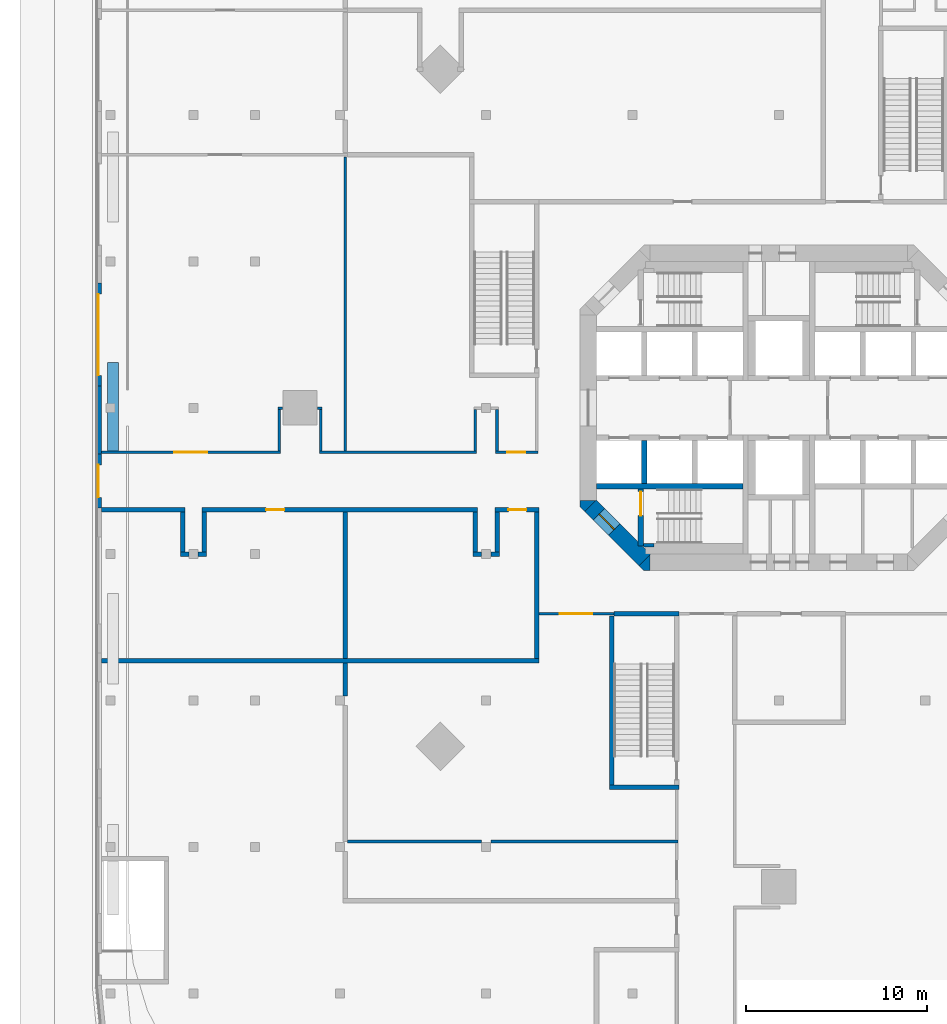
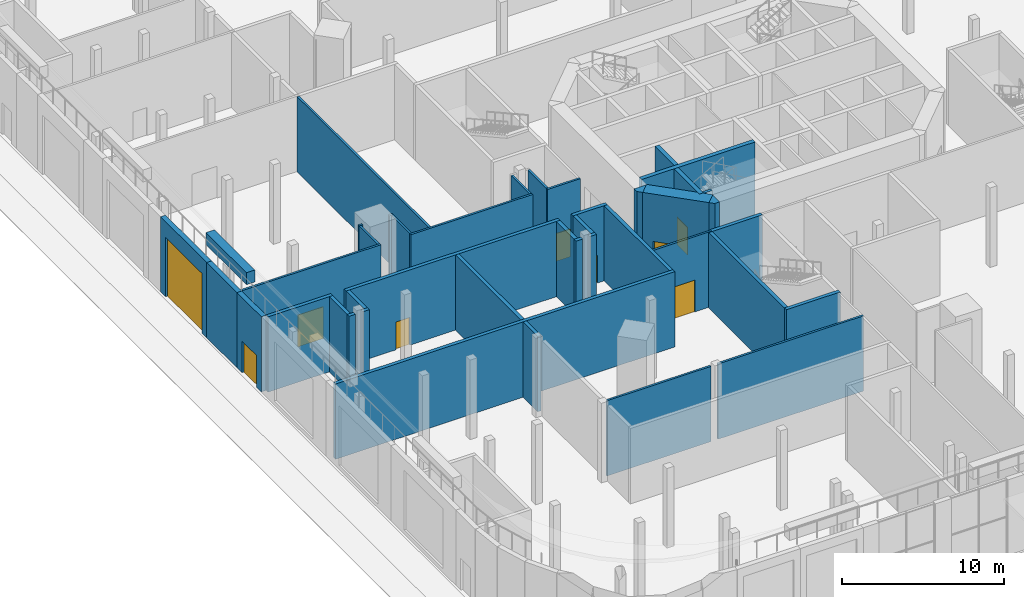
# One storey, part 14 of 32: 42 walls, 9 doors, 9 openings.
"""IFC4 building model written with IfcOpenShell, lengths in metres."""

from ifc_helpers import new_model, si_unit, direction, frame, frame_2d, origin, place, context, subcontext, project, spatial, polyline, rectangle, outline, extrude, material, layer, layer_set, type_object, element, fill, save


model = new_model("IFC4")

# Units and contexts
model_context = context("Model", 3, precision=1e-05, world=origin(), true_north=direction((0.0, 1.0)))
body_context = subcontext(model_context, "Body", "Model", "MODEL_VIEW")
ifc_project = project(units=[si_unit("LENGTHUNIT", "METRE"), si_unit("AREAUNIT", "SQUARE_METRE"), si_unit("VOLUMEUNIT", "CUBIC_METRE"), si_unit("PLANEANGLEUNIT", "RADIAN"), si_unit("MASSUNIT", "GRAM", prefix="KILO")], contexts=[model_context])

# Site, building, storey
site_placement = place(None, origin())
site = spatial("IfcSite", under=ifc_project, at=site_placement, CompositionType="ELEMENT")
building_placement = place(site_placement, origin())
building = spatial("IfcBuilding", under=site, at=building_placement, Name="Torre Triforio", CompositionType="ELEMENT")
storey_placement = place(building_placement, origin())
storey = spatial("IfcBuildingStorey", under=building, at=storey_placement, Name="L00", CompositionType="ELEMENT", Elevation=0.0)

# Wall, opening, door
ifc_material_1 = material(Name="Concrete C60", Category="concrete")
ifc_layer_1 = layer(ifc_material_1, 0.89990234375)
ifc_layer_set_1 = layer_set([ifc_layer_1], Name="Concrete C60")
wall_type_1 = type_object("IfcWallType", Name="Core wall 900 mm C60 EI 120", PredefinedType="SHEAR", material=ifc_layer_set_1)
wall_1_placement = place(storey_placement, frame((-7.418212890625, -8.418212890625, -0.320068359375), z_axis=(0.0, 0.0, 1.0), x_axis=(-0.707106781187, 0.707106781187, 0.0)))
wall_1 = element("IfcWall", 1, at=wall_1_placement, inside=storey, type_object=wall_type_1, Name="Core wall", PredefinedType="SHEAR", context=body_context, shape_type="SweptSolid", body=[
    extrude(rectangle(XDim=4.24267578125, YDim=0.89990234375, at=frame_2d((2.121337890625, 0.0))), origin(), (0.0, 0.0, 1.0), 6.0),
])
opening_1_placement = place(wall_1_placement, frame((2.392578125, 0.0, 0.320068359375)))
opening_1 = element("IfcOpeningElement", 2, at=opening_1_placement, cuts=wall_1, Name="Opening ST3-EXIT", PredefinedType="OPENING", context=body_context, shape_type="SweptSolid", body=[
    extrude(rectangle(XDim=1.199951171875, YDim=2.10009765625, at=frame_2d((0.60009765625, 1.050048828125))), frame((0.0, 0.4599609375, 0.0), z_axis=(0.0, -1.0, 0.0), x_axis=(1.0, 0.0, 0.0)), (0.0, 0.0, 1.0), 0.919921875),
])
ifc_material_2 = material(Name="Hollow metal fire door leaf")
door_type_1 = type_object("IfcDoorType", Name="Stair lobby door 1200 x 2100 EI 60", OperationType="NOTDEFINED", PredefinedType="DOOR", material=ifc_material_2)
door_1_placement = place(opening_1_placement, origin())
door_1 = element("IfcDoor", 3, at=door_1_placement, inside=storey, type_object=door_type_1, Name="Core door ST3-EXIT", OperationType="SINGLE_SWING_RIGHT", OverallHeight=2.10009765625, OverallWidth=1.199951171875, PredefinedType="DOOR", context=body_context, shape_type="SweptSolid", body=[
    extrude(rectangle(XDim=1.199951171875, YDim=2.10009765625, at=frame_2d((0.60009765625, 1.050048828125))), frame((0.0, 0.02490234375, 0.0), z_axis=(0.0, -1.0, 0.0), x_axis=(1.0, 0.0, 0.0)), (0.0, 0.0, 1.0), 0.050048828125),
])
fill(opening_1, door_1)

# Walls
wall_2_placement = place(storey_placement, frame((0.0, 0.0, -0.320068359375)))
element("IfcWall", 4, at=wall_2_placement, inside=storey, type_object=wall_type_1, Name="Core wall", PredefinedType="SHEAR", context=body_context, shape_type="SweptSolid", body=[
    extrude(outline(polyline([(-7.472900390625, -9.0), (-7.736328125, -8.736328125), (-7.1298828125, -8.1298828125), (-7.1298828125, -9.0), (-7.472900390625, -9.0)])), origin(), (0.0, 0.0, 1.0), 6.0),
])
wall_3_placement = place(storey_placement, frame((0.0, 0.0, -0.320068359375)))
element("IfcWall", 5, at=wall_3_placement, inside=storey, type_object=wall_type_1, Name="Core wall", PredefinedType="SHEAR", context=body_context, shape_type="SweptSolid", body=[
    extrude(outline(polyline([(-11.0, -5.472900390625), (-11.0, -5.1298828125), (-10.1298828125, -5.1298828125), (-10.736328125, -5.736328125), (-11.0, -5.472900390625)])), origin(), (0.0, 0.0, 1.0), 6.0),
])
ifc_material_3 = material(Name="Plasterboard on metal studs")
ifc_layer_2 = layer(ifc_material_3, 0.14990234375)
ifc_layer_set_2 = layer_set([ifc_layer_2], Name="Plasterboard on metal studs")
wall_type_2 = type_object("IfcWallType", Name="Corridor wall 150 EI 60", PredefinedType="PARTITIONING", material=ifc_layer_set_2)
wall_4_placement = place(storey_placement, frame((-24.0, -2.375, 0.0), z_axis=(0.0, 0.0, 1.0), x_axis=(0.0, 1.0, 0.0)))
element("IfcWall", 6, at=wall_4_placement, inside=storey, type_object=wall_type_2, Name="Corridor wall L00 073", PredefinedType="PARTITIONING", context=body_context, shape_type="SweptSolid", body=[
    extrude(rectangle(XDim=16.25, YDim=0.14990234375, at=frame_2d((8.125, 0.0))), origin(), (0.0, 0.0, 1.0), 5.679931640625),
])

# Wall, opening, door
wall_5_placement = place(storey_placement, frame((-37.5, -2.449951171875, 0.0), z_axis=(0.0, 0.0, 1.0), x_axis=(1.0, 0.0, 0.0)))
wall_5 = element("IfcWall", 7, at=wall_5_placement, inside=storey, type_object=wall_type_2, Name="Corridor wall L00 074", PredefinedType="PARTITIONING", context=body_context, shape_type="SweptSolid", body=[
    extrude(rectangle(XDim=9.925048828125, YDim=0.14990234375, at=frame_2d((4.96240234375, 0.0))), origin(), (0.0, 0.0, 1.0), 5.679931640625),
])
opening_2_placement = place(wall_5_placement, frame((4.050048828125, 0.0, 0.0)))
opening_2 = element("IfcOpeningElement", 8, at=opening_2_placement, cuts=wall_5, Name="Opening P0-20", PredefinedType="OPENING", context=body_context, shape_type="SweptSolid", body=[
    extrude(rectangle(XDim=1.800048828125, YDim=2.39990234375, at=frame_2d((0.89990234375, 1.199951171875))), frame((0.0, 0.0849609375, 0.0), z_axis=(0.0, -1.0, 0.0), x_axis=(1.0, 0.0, 0.0)), (0.0, 0.0, 1.0), 0.169921875),
])
ifc_material_4 = material(Name="Timber door leaf", Category="wood")
door_type_2 = type_object("IfcDoorType", Name="Double door 1800 x 2400 EI 60", OperationType="NOTDEFINED", PredefinedType="DOOR", material=ifc_material_4)
door_2_placement = place(opening_2_placement, origin())
door_2 = element("IfcDoor", 9, at=door_2_placement, inside=storey, type_object=door_type_2, Name="Door P0-20", OperationType="SINGLE_SWING_LEFT", OverallHeight=2.39990234375, OverallWidth=1.800048828125, PredefinedType="DOOR", context=body_context, shape_type="SweptSolid", body=[
    extrude(rectangle(XDim=1.800048828125, YDim=2.39990234375, at=frame_2d((0.89990234375, 1.199951171875))), frame((0.0, 0.02490234375, 0.0), z_axis=(0.0, -1.0, 0.0), x_axis=(1.0, 0.0, 0.0)), (0.0, 0.0, 1.0), 0.050048828125),
])
fill(opening_2, door_2)

# Walls
wall_6_placement = place(storey_placement, frame((-25.425048828125, -2.449951171875, 0.0), z_axis=(0.0, 0.0, 1.0), x_axis=(1.0, 0.0, 0.0)))
element("IfcWall", 10, at=wall_6_placement, inside=storey, type_object=wall_type_2, Name="Corridor wall L00 075", PredefinedType="PARTITIONING", context=body_context, shape_type="SweptSolid", body=[
    extrude(rectangle(XDim=8.699951171875, YDim=0.14990234375, at=frame_2d((4.35009765625, 0.0))), origin(), (0.0, 0.0, 1.0), 5.679931640625),
])
for number, where, z_axis, x_axis, name in (
    (11, (-27.72509765625, -0.02001953125, 0.0), (0.0, 0.0, 1.0), (1.0, 0.0, 0.0), "Corridor wall L00 076"),
    (12, (-25.5400390625, -0.02001953125, 0.0), (0.0, 0.0, 1.0), (1.0, 0.0, 0.0), "Corridor wall L00 077"),
):
    element("IfcWall", number, at=place(storey_placement, frame(where, z_axis=z_axis, x_axis=x_axis)), inside=storey, type_object=wall_type_2, Name=name, PredefinedType="PARTITIONING", context=body_context, shape_type="SweptSolid", body=[
        extrude(rectangle(XDim=0.26513671875, YDim=0.14990234375, at=frame_2d((0.132568359375, 0.0))), origin(), (0.0, 0.0, 1.0), 5.679931640625),
    ])
for number, where, z_axis, x_axis, name in (
    (13, (-27.64990234375, -2.375, 0.0), (0.0, 0.0, 1.0), (0.0, 1.0, 0.0), "Corridor wall L00 078"),
    (14, (-25.35009765625, -2.375, 0.0), (0.0, 0.0, 1.0), (0.0, 1.0, 0.0), "Corridor wall L00 079"),
):
    element("IfcWall", number, at=place(storey_placement, frame(where, z_axis=z_axis, x_axis=x_axis)), inside=storey, type_object=wall_type_2, Name=name, PredefinedType="PARTITIONING", context=body_context, shape_type="SweptSolid", body=[
        extrude(rectangle(XDim=2.280029296875, YDim=0.14990234375, at=frame_2d((1.14013671875, 0.0))), origin(), (0.0, 0.0, 1.0), 5.679931640625),
    ])

# Wall, opening, door
wall_7_placement = place(storey_placement, frame((-13.27490234375, -11.39990234375, 0.0), z_axis=(0.0, 0.0, 1.0), x_axis=(1.0, 0.0, 0.0)))
wall_7 = element("IfcWall", 15, at=wall_7_placement, inside=storey, type_object=wall_type_2, Name="Corridor wall L00 152", PredefinedType="PARTITIONING", context=body_context, shape_type="SweptSolid", body=[
    extrude(rectangle(XDim=4.14990234375, YDim=0.14990234375, at=frame_2d((2.074951171875, 0.0))), origin(), (0.0, 0.0, 1.0), 5.679931640625),
])
opening_3_placement = place(wall_7_placement, frame((1.14990234375, 0.0, 0.0)))
opening_3 = element("IfcOpeningElement", 16, at=opening_3_placement, cuts=wall_7, Name="Opening P0-32", PredefinedType="OPENING", context=body_context, shape_type="SweptSolid", body=[
    extrude(rectangle(XDim=1.800048828125, YDim=2.39990234375, at=frame_2d((0.89990234375, 1.199951171875))), frame((0.0, 0.0849609375, 0.0), z_axis=(0.0, -1.0, 0.0), x_axis=(1.0, 0.0, 0.0)), (0.0, 0.0, 1.0), 0.169921875),
])
door_3_placement = place(opening_3_placement, origin())
door_3 = element("IfcDoor", 17, at=door_3_placement, inside=storey, type_object=door_type_2, Name="Door P0-32", OperationType="SINGLE_SWING_LEFT", OverallHeight=2.39990234375, OverallWidth=1.800048828125, PredefinedType="DOOR", context=body_context, shape_type="SweptSolid", body=[
    extrude(rectangle(XDim=1.800048828125, YDim=2.39990234375, at=frame_2d((0.89990234375, 1.199951171875))), frame((0.0, 0.02490234375, 0.0), z_axis=(0.0, -1.0, 0.0), x_axis=(1.0, 0.0, 0.0)), (0.0, 0.0, 1.0), 0.050048828125),
])
fill(opening_3, door_3)

wall_8_placement = place(storey_placement, frame((-15.675048828125, -2.449951171875, 0.0), z_axis=(0.0, 0.0, 1.0), x_axis=(1.0, 0.0, 0.0)))
wall_8 = element("IfcWall", 18, at=wall_8_placement, inside=storey, type_object=wall_type_2, Name="Corridor wall L00 182", PredefinedType="PARTITIONING", context=body_context, shape_type="SweptSolid", body=[
    extrude(rectangle(XDim=2.35009765625, YDim=0.14990234375, at=frame_2d((1.175048828125, 0.0))), origin(), (0.0, 0.0, 1.0), 5.679931640625),
])
opening_4_placement = place(wall_8_placement, frame((0.64990234375, 0.0, 0.0)))
opening_4 = element("IfcOpeningElement", 19, at=opening_4_placement, cuts=wall_8, Name="Opening P0-24", PredefinedType="OPENING", context=body_context, shape_type="SweptSolid", body=[
    extrude(rectangle(XDim=1.0, YDim=2.10009765625, at=frame_2d((0.5, 1.050048828125))), frame((0.0, 0.0849609375, 0.0), z_axis=(0.0, -1.0, 0.0), x_axis=(1.0, 0.0, 0.0)), (0.0, 0.0, 1.0), 0.169921875),
])
door_type_3 = type_object("IfcDoorType", Name="Single door 1000 x 2100 EI 30", OperationType="NOTDEFINED", PredefinedType="DOOR", material=ifc_material_4)
door_4_placement = place(opening_4_placement, origin())
door_4 = element("IfcDoor", 20, at=door_4_placement, inside=storey, type_object=door_type_3, Name="Door P0-24", OperationType="SINGLE_SWING_LEFT", OverallHeight=2.10009765625, OverallWidth=1.0, PredefinedType="DOOR", context=body_context, shape_type="SweptSolid", body=[
    extrude(rectangle(XDim=1.0, YDim=2.10009765625, at=frame_2d((0.5, 1.050048828125))), frame((0.0, 0.02490234375, 0.0), z_axis=(0.0, -1.0, 0.0), x_axis=(1.0, 0.0, 0.0)), (0.0, 0.0, 1.0), 0.050048828125),
])
fill(opening_4, door_4)

# Walls
for number, where, z_axis, x_axis, name in (
    (21, (-16.800048828125, -2.375, 0.0), (0.0, 0.0, 1.0), (0.0, 1.0, 0.0), "Corridor wall L00 185"),
    (22, (-15.60009765625, -2.375, 0.0), (0.0, 0.0, 1.0), (0.0, 1.0, 0.0), "Corridor wall L00 186"),
):
    element("IfcWall", number, at=place(storey_placement, frame(where, z_axis=z_axis, x_axis=x_axis)), inside=storey, type_object=wall_type_2, Name=name, PredefinedType="PARTITIONING", context=body_context, shape_type="SweptSolid", body=[
        extrude(rectangle(XDim=2.280029296875, YDim=0.14990234375, at=frame_2d((1.14013671875, 0.0))), origin(), (0.0, 0.0, 1.0), 5.679931640625),
    ])
ifc_material_5 = material(Name="Masonry block", Category="masonry")
ifc_layer_3 = layer(ifc_material_5, 0.25)
ifc_layer_set_3 = layer_set([ifc_layer_3], Name="Masonry block")
wall_type_3 = type_object("IfcWallType", Name="Plant room wall 250 EI 120", PredefinedType="PARTITIONING", material=ifc_layer_set_3)
wall_9_placement = place(storey_placement, frame((-37.5, -14.0, 0.0), z_axis=(0.0, 0.0, 1.0), x_axis=(1.0, 0.0, 0.0)))
element("IfcWall", 23, at=wall_9_placement, inside=storey, type_object=wall_type_3, Name="Plant room wall L00 066", PredefinedType="PARTITIONING", context=body_context, shape_type="SweptSolid", body=[
    extrude(rectangle(XDim=24.22509765625, YDim=0.25, at=frame_2d((12.112548828125, 0.0))), origin(), (0.0, 0.0, 1.0), 5.679931640625),
])
wall_10_placement = place(storey_placement, frame((-24.0, -15.93994140625, 0.0), z_axis=(0.0, 0.0, 1.0), x_axis=(0.0, 1.0, 0.0)))
element("IfcWall", 24, at=wall_10_placement, inside=storey, type_object=wall_type_3, Name="Plant room wall L00 068", PredefinedType="PARTITIONING", context=body_context, shape_type="SweptSolid", body=[
    extrude(rectangle(XDim=1.81494140625, YDim=0.25, at=frame_2d((0.907470703125, 0.0))), origin(), (0.0, 0.0, 1.0), 5.679931640625),
])
wall_11_placement = place(storey_placement, frame((-24.0, -13.875, 0.0), z_axis=(0.0, 0.0, 1.0), x_axis=(0.0, 1.0, 0.0)))
element("IfcWall", 25, at=wall_11_placement, inside=storey, type_object=wall_type_3, Name="Plant room wall L00 095", PredefinedType="PARTITIONING", context=body_context, shape_type="SweptSolid", body=[
    extrude(rectangle(XDim=8.10009765625, YDim=0.25, at=frame_2d((4.050048828125, 0.0))), origin(), (0.0, 0.0, 1.0), 5.679931640625),
])
wall_12_placement = place(storey_placement, frame((-33.125, -8.10009765625, 0.0), z_axis=(0.0, 0.0, 1.0), x_axis=(1.0, 0.0, 0.0)))
element("IfcWall", 26, at=wall_12_placement, inside=storey, type_object=wall_type_3, Name="Plant room wall L00 096", PredefinedType="PARTITIONING", context=body_context, shape_type="SweptSolid", body=[
    extrude(rectangle(XDim=0.465087890625, YDim=0.25, at=frame_2d((0.232421875, 0.0))), origin(), (0.0, 0.0, 1.0), 5.679931640625),
])
wall_13_placement = place(storey_placement, frame((-32.139892578125, -8.10009765625, 0.0), z_axis=(0.0, 0.0, 1.0), x_axis=(1.0, 0.0, 0.0)))
element("IfcWall", 27, at=wall_13_placement, inside=storey, type_object=wall_type_3, Name="Plant room wall L00 097", PredefinedType="PARTITIONING", context=body_context, shape_type="SweptSolid", body=[
    extrude(rectangle(XDim=0.46484375, YDim=0.25, at=frame_2d((0.232421875, 0.0))), origin(), (0.0, 0.0, 1.0), 5.679931640625),
])
wall_14_placement = place(storey_placement, frame((-37.5, -5.64990234375, 0.0), z_axis=(0.0, 0.0, 1.0), x_axis=(1.0, 0.0, 0.0)))
element("IfcWall", 28, at=wall_14_placement, inside=storey, type_object=wall_type_3, Name="Plant room wall L00 098", PredefinedType="PARTITIONING", context=body_context, shape_type="SweptSolid", body=[
    extrude(rectangle(XDim=4.625, YDim=0.25, at=frame_2d((2.3125, 0.0))), origin(), (0.0, 0.0, 1.0), 5.679931640625),
])

# Wall, opening, door
wall_15_placement = place(storey_placement, frame((-31.925048828125, -5.64990234375, 0.0), z_axis=(0.0, 0.0, 1.0), x_axis=(1.0, 0.0, 0.0)))
wall_15 = element("IfcWall", 29, at=wall_15_placement, inside=storey, type_object=wall_type_3, Name="Plant room wall L00 099", PredefinedType="PARTITIONING", context=body_context, shape_type="SweptSolid", body=[
    extrude(rectangle(XDim=15.25, YDim=0.25, at=frame_2d((7.625, 0.0))), origin(), (0.0, 0.0, 1.0), 5.679931640625),
])
opening_5_placement = place(wall_15_placement, frame((3.550048828125, 0.0, 0.0)))
opening_5 = element("IfcOpeningElement", 30, at=opening_5_placement, cuts=wall_15, Name="Opening P0-22", PredefinedType="OPENING", context=body_context, shape_type="SweptSolid", body=[
    extrude(rectangle(XDim=1.0, YDim=2.10009765625, at=frame_2d((0.5, 1.050048828125))), frame((0.0, 0.135009765625, 0.0), z_axis=(0.0, -1.0, 0.0), x_axis=(1.0, 0.0, 0.0)), (0.0, 0.0, 1.0), 0.27001953125),
])
door_type_4 = type_object("IfcDoorType", Name="Fire door 1000 x 2100 EI 60", OperationType="NOTDEFINED", PredefinedType="DOOR", material=ifc_material_2)
door_5_placement = place(opening_5_placement, origin())
door_5 = element("IfcDoor", 31, at=door_5_placement, inside=storey, type_object=door_type_4, Name="Door P0-22", OperationType="SINGLE_SWING_LEFT", OverallHeight=2.10009765625, OverallWidth=1.0, PredefinedType="DOOR", context=body_context, shape_type="SweptSolid", body=[
    extrude(rectangle(XDim=1.0, YDim=2.10009765625, at=frame_2d((0.5, 1.050048828125))), frame((0.0, 0.02490234375, 0.0), z_axis=(0.0, -1.0, 0.0), x_axis=(1.0, 0.0, 0.0)), (0.0, 0.0, 1.0), 0.050048828125),
])
fill(opening_5, door_5)

# Walls
for number, where, z_axis, x_axis, name in (
    (32, (-33.0, -7.97509765625, 0.0), (0.0, 0.0, 1.0), (0.0, 1.0, 0.0), "Plant room wall L00 100"),
    (33, (-31.800048828125, -7.97509765625, 0.0), (0.0, 0.0, 1.0), (0.0, 1.0, 0.0), "Plant room wall L00 101"),
):
    element("IfcWall", number, at=place(storey_placement, frame(where, z_axis=z_axis, x_axis=x_axis)), inside=storey, type_object=wall_type_3, Name=name, PredefinedType="PARTITIONING", context=body_context, shape_type="SweptSolid", body=[
        extrude(rectangle(XDim=2.2001953125, YDim=0.25, at=frame_2d((1.10009765625, 0.0))), origin(), (0.0, 0.0, 1.0), 5.679931640625),
    ])
wall_16_placement = place(storey_placement, frame((-13.39990234375, -13.875, 0.0), z_axis=(0.0, 0.0, 1.0), x_axis=(0.0, 1.0, 0.0)))
element("IfcWall", 34, at=wall_16_placement, inside=storey, type_object=wall_type_3, Name="Plant room wall L00 146", PredefinedType="PARTITIONING", context=body_context, shape_type="SweptSolid", body=[
    extrude(rectangle(XDim=8.10009765625, YDim=0.25, at=frame_2d((4.050048828125, 0.0))), origin(), (0.0, 0.0, 1.0), 5.679931640625),
])
wall_17_placement = place(storey_placement, frame((-16.925048828125, -8.10009765625, 0.0), z_axis=(0.0, 0.0, 1.0), x_axis=(1.0, 0.0, 0.0)))
element("IfcWall", 35, at=wall_17_placement, inside=storey, type_object=wall_type_3, Name="Plant room wall L00 147", PredefinedType="PARTITIONING", context=body_context, shape_type="SweptSolid", body=[
    extrude(rectangle(XDim=0.465087890625, YDim=0.25, at=frame_2d((0.232421875, 0.0))), origin(), (0.0, 0.0, 1.0), 5.679931640625),
])
wall_18_placement = place(storey_placement, frame((-15.93994140625, -8.10009765625, 0.0), z_axis=(0.0, 0.0, 1.0), x_axis=(1.0, 0.0, 0.0)))
element("IfcWall", 36, at=wall_18_placement, inside=storey, type_object=wall_type_3, Name="Plant room wall L00 148", PredefinedType="PARTITIONING", context=body_context, shape_type="SweptSolid", body=[
    extrude(rectangle(XDim=0.46484375, YDim=0.25, at=frame_2d((0.232421875, 0.0))), origin(), (0.0, 0.0, 1.0), 5.679931640625),
])

# Wall, opening, door
wall_19_placement = place(storey_placement, frame((-15.72509765625, -5.64990234375, 0.0), z_axis=(0.0, 0.0, 1.0), x_axis=(1.0, 0.0, 0.0)))
wall_19 = element("IfcWall", 37, at=wall_19_placement, inside=storey, type_object=wall_type_3, Name="Plant room wall L00 149", PredefinedType="PARTITIONING", context=body_context, shape_type="SweptSolid", body=[
    extrude(rectangle(XDim=2.4501953125, YDim=0.25, at=frame_2d((1.22509765625, 0.0))), origin(), (0.0, 0.0, 1.0), 5.679931640625),
])
opening_6_placement = place(wall_19_placement, frame((0.75, 0.0, 0.0)))
opening_6 = element("IfcOpeningElement", 38, at=opening_6_placement, cuts=wall_19, Name="Opening P0-23", PredefinedType="OPENING", context=body_context, shape_type="SweptSolid", body=[
    extrude(rectangle(XDim=1.0, YDim=2.10009765625, at=frame_2d((0.5, 1.050048828125))), frame((0.0, 0.135009765625, 0.0), z_axis=(0.0, -1.0, 0.0), x_axis=(1.0, 0.0, 0.0)), (0.0, 0.0, 1.0), 0.27001953125),
])
door_6_placement = place(opening_6_placement, origin())
door_6 = element("IfcDoor", 39, at=door_6_placement, inside=storey, type_object=door_type_4, Name="Door P0-23", OperationType="SINGLE_SWING_LEFT", OverallHeight=2.10009765625, OverallWidth=1.0, PredefinedType="DOOR", context=body_context, shape_type="SweptSolid", body=[
    extrude(rectangle(XDim=1.0, YDim=2.10009765625, at=frame_2d((0.5, 1.050048828125))), frame((0.0, 0.02490234375, 0.0), z_axis=(0.0, -1.0, 0.0), x_axis=(1.0, 0.0, 0.0)), (0.0, 0.0, 1.0), 0.050048828125),
])
fill(opening_6, door_6)

# Walls
for number, where, z_axis, x_axis, name in (
    (40, (-16.800048828125, -7.97509765625, 0.0), (0.0, 0.0, 1.0), (0.0, 1.0, 0.0), "Plant room wall L00 150"),
    (41, (-15.60009765625, -7.97509765625, 0.0), (0.0, 0.0, 1.0), (0.0, 1.0, 0.0), "Plant room wall L00 151"),
):
    element("IfcWall", number, at=place(storey_placement, frame(where, z_axis=z_axis, x_axis=x_axis)), inside=storey, type_object=wall_type_3, Name=name, PredefinedType="PARTITIONING", context=body_context, shape_type="SweptSolid", body=[
        extrude(rectangle(XDim=2.2001953125, YDim=0.25, at=frame_2d((1.10009765625, 0.0))), origin(), (0.0, 0.0, 1.0), 5.679931640625),
    ])
ifc_layer_4 = layer(ifc_material_1, 0.300048828125)
ifc_layer_set_4 = layer_set([ifc_layer_4], Name="Concrete C60")
wall_type_4 = type_object("IfcWallType", Name="Shaft wall 300 mm C60 EI 120", PredefinedType="SOLIDWALL", material=ifc_layer_set_4)
wall_20_placement = place(storey_placement, frame((-10.10009765625, -4.35009765625, 0.0), z_axis=(0.0, 0.0, 1.0), x_axis=(1.0, 0.0, 0.0)))
element("IfcWall", 42, at=wall_20_placement, inside=storey, type_object=wall_type_4, Name="Shaft wall", PredefinedType="SOLIDWALL", context=body_context, shape_type="SweptSolid", body=[
    extrude(rectangle(XDim=8.10009765625, YDim=0.300048828125, at=frame_2d((4.050048828125, 0.0))), origin(), (0.0, 0.0, 1.0), 5.679931640625),
])
wall_21_placement = place(storey_placement, frame((-7.449951171875, -4.199951171875, 0.0), z_axis=(0.0, 0.0, 1.0), x_axis=(0.0, 1.0, 0.0)))
element("IfcWall", 43, at=wall_21_placement, inside=storey, type_object=wall_type_4, Name="Shaft wall", PredefinedType="SOLIDWALL", context=body_context, shape_type="SweptSolid", body=[
    extrude(rectangle(XDim=2.39990234375, YDim=0.300048828125, at=frame_2d((1.199951171875, 0.0))), origin(), (0.0, 0.0, 1.0), 5.679931640625),
])
ifc_material_6 = material(Name="Concrete C40", Category="concrete")
ifc_layer_5 = layer(ifc_material_6, 0.25)
ifc_layer_set_5 = layer_set([ifc_layer_5], Name="Concrete C40")
wall_type_5 = type_object("IfcWallType", Name="Stair enclosure wall 250 EI 120", PredefinedType="STANDARD", material=ifc_layer_set_5)
wall_22_placement = place(storey_placement, frame((-9.125, -11.39990234375, 0.0), z_axis=(0.0, 0.0, 1.0), x_axis=(1.0, 0.0, 0.0)))
element("IfcWall", 44, at=wall_22_placement, inside=storey, type_object=wall_type_5, Name="Stair enclosure wall L00 136", PredefinedType="STANDARD", context=body_context, shape_type="SweptSolid", body=[
    extrude(rectangle(XDim=3.60009765625, YDim=0.25, at=frame_2d((1.800048828125, 0.0))), origin(), (0.0, 0.0, 1.0), 5.679931640625),
])
wall_23_placement = place(storey_placement, frame((-9.375, -21.0, 0.0), z_axis=(0.0, 0.0, 1.0), x_axis=(1.0, 0.0, 0.0)))
element("IfcWall", 45, at=wall_23_placement, inside=storey, type_object=wall_type_5, Name="Stair enclosure wall L00 137", PredefinedType="STANDARD", context=body_context, shape_type="SweptSolid", body=[
    extrude(rectangle(XDim=3.85009765625, YDim=0.25, at=frame_2d((1.925048828125, 0.0))), origin(), (0.0, 0.0, 1.0), 5.679931640625),
])
wall_24_placement = place(storey_placement, frame((-9.25, -20.875, 0.0), z_axis=(0.0, 0.0, 1.0), x_axis=(0.0, 1.0, 0.0)))
element("IfcWall", 46, at=wall_24_placement, inside=storey, type_object=wall_type_5, Name="Stair enclosure wall L00 138", PredefinedType="STANDARD", context=body_context, shape_type="SweptSolid", body=[
    extrude(rectangle(XDim=9.35009765625, YDim=0.25, at=frame_2d((4.675048828125, 0.0))), origin(), (0.0, 0.0, 1.0), 5.679931640625),
])
ifc_layer_6 = layer(ifc_material_1, 0.199951171875)
ifc_layer_set_6 = layer_set([ifc_layer_6], Name="Concrete C60")
wall_type_6 = type_object("IfcWallType", Name="Stair wall 200 mm C60 EI 120", PredefinedType="SHEAR", material=ifc_layer_set_6)
wall_25_placement = place(storey_placement, frame((-7.5, -7.60009765625, 0.0), z_axis=(0.0, 0.0, 1.0), x_axis=(1.0, 0.0, 0.0)))
element("IfcWall", 47, at=wall_25_placement, inside=storey, type_object=wall_type_6, Name="Stair wall", PredefinedType="SHEAR", context=body_context, shape_type="SweptSolid", body=[
    extrude(rectangle(XDim=0.60009765625, YDim=0.199951171875, at=frame_2d((0.300048828125, 0.0))), origin(), (0.0, 0.0, 1.0), 5.679931640625),
])

# Wall, opening, door
ifc_layer_7 = layer(ifc_material_1, 0.300048828125)
ifc_layer_set_7 = layer_set([ifc_layer_7], Name="Concrete C60")
wall_type_7 = type_object("IfcWallType", Name="Stair wall 300 mm C60 EI 120", PredefinedType="SHEAR", material=ifc_layer_set_7)
wall_26_placement = place(storey_placement, frame((-7.64990234375, -7.639892578125, 0.0), z_axis=(0.0, 0.0, 1.0), x_axis=(0.0, 1.0, 0.0)))
wall_26 = element("IfcWall", 48, at=wall_26_placement, inside=storey, type_object=wall_type_7, Name="Stair wall", PredefinedType="SHEAR", context=body_context, shape_type="SweptSolid", body=[
    extrude(rectangle(XDim=3.139892578125, YDim=0.300048828125, at=frame_2d((1.56982421875, 0.0))), origin(), (0.0, 0.0, 1.0), 5.679931640625),
])
opening_7_placement = place(wall_26_placement, frame((1.679931640625, 0.0, 0.0)))
opening_7 = element("IfcOpeningElement", 49, at=opening_7_placement, cuts=wall_26, Name="Opening ST3-STA", PredefinedType="OPENING", context=body_context, shape_type="SweptSolid", body=[
    extrude(rectangle(XDim=1.320068359375, YDim=2.10009765625, at=frame_2d((0.66015625, 1.050048828125))), frame((0.0, 0.159912109375, 0.0), z_axis=(0.0, -1.0, 0.0), x_axis=(1.0, 0.0, 0.0)), (0.0, 0.0, 1.0), 0.320068359375),
])
door_type_5 = type_object("IfcDoorType", Name="Stair door 1320 x 2100 EI 90", OperationType="DOUBLE_DOOR_SINGLE_SWING", PredefinedType="DOOR", material=ifc_material_2)
door_7_placement = place(opening_7_placement, origin())
door_7 = element("IfcDoor", 50, at=door_7_placement, inside=storey, type_object=door_type_5, Name="Core door ST3-ST", OperationType="DOUBLE_DOOR_SINGLE_SWING", OverallHeight=2.10009765625, OverallWidth=1.320068359375, PredefinedType="DOOR", context=body_context, shape_type="SweptSolid", body=[
    extrude(rectangle(XDim=1.320068359375, YDim=2.10009765625, at=frame_2d((0.66015625, 1.050048828125))), frame((0.0, 0.02490234375, 0.0), z_axis=(0.0, -1.0, 0.0), x_axis=(1.0, 0.0, 0.0)), (0.0, 0.0, 1.0), 0.050048828125),
])
fill(opening_7, door_7)

ifc_material_7 = material(Name="Limestone cladding", Category="masonry")
ifc_layer_8 = layer(ifc_material_7, 0.10009765625)
ifc_layer_9 = layer(ifc_material_6, 0.25)
ifc_layer_set_8 = layer_set([ifc_layer_8, ifc_layer_9], Name="Limestone cladding / Concrete C40")
wall_type_8 = type_object("IfcWallType", Name="Stone-clad podium wall 350", PredefinedType="STANDARD", material=ifc_layer_set_8)
wall_27_placement = place(storey_placement, frame((-37.675048828125, 6.89990234375, 0.0), z_axis=(0.0, 0.0, 1.0), x_axis=(0.0, -1.0, 0.0)))
wall_27 = element("IfcWall", 51, at=wall_27_placement, inside=storey, type_object=wall_type_8, Name="External wall L00 e26.7", PredefinedType="STANDARD", context=body_context, shape_type="SweptSolid", body=[
    extrude(rectangle(XDim=5.699951171875, YDim=0.35009765625, at=frame_2d((2.85009765625, 0.0))), origin(), (0.0, 0.0, 1.0), 5.679931640625),
])
opening_8_placement = place(wall_27_placement, frame((0.60009765625, 0.0, 0.0)))
opening_8 = element("IfcOpeningElement", 52, at=opening_8_placement, cuts=wall_27, Name="Opening P0-41", PredefinedType="OPENING", context=body_context, shape_type="SweptSolid", body=[
    extrude(rectangle(XDim=4.5, YDim=4.5, at=frame_2d((2.25, 2.25))), frame((0.0, 0.18505859375, 0.0), z_axis=(0.0, -1.0, 0.0), x_axis=(1.0, 0.0, 0.0)), (0.0, 0.0, 1.0), 0.3701171875),
])
ifc_material_8 = material(Name="Galvanised roller shutter slats")
door_type_6 = type_object("IfcDoorType", Name="Roller shutter door 4500 x 4500", OperationType="ROLLINGUP", PredefinedType="GATE", material=ifc_material_8)
door_8_placement = place(opening_8_placement, frame((4.5, 0.0, 0.0), z_axis=(0.0, 0.0, 1.0), x_axis=(-1.0, 0.0, 0.0)))
door_8 = element("IfcDoor", 53, at=door_8_placement, inside=storey, type_object=door_type_6, Name="Door P0-41", OperationType="SINGLE_SWING_LEFT", OverallHeight=4.5, OverallWidth=4.5, PredefinedType="GATE", context=body_context, shape_type="SweptSolid", body=[
    extrude(rectangle(XDim=4.5, YDim=4.5, at=frame_2d((2.25, 2.25))), frame((0.0, 0.02490234375, 0.0), z_axis=(0.0, -1.0, 0.0), x_axis=(1.0, 0.0, 0.0)), (0.0, 0.0, 1.0), 0.050048828125),
])
fill(opening_8, door_8)

# Wall
wall_28_placement = place(storey_placement, frame((-37.675048828125, 1.199951171875, 0.0), z_axis=(0.0, 0.0, 1.0), x_axis=(0.0, -1.0, 0.0)))
element("IfcWall", 54, at=wall_28_placement, inside=storey, type_object=wall_type_8, Name="External wall L00 e26.8.w0", PredefinedType="STANDARD", context=body_context, shape_type="SweptSolid", body=[
    extrude(rectangle(XDim=3.75, YDim=0.35009765625, at=frame_2d((1.875, 0.0))), origin(), (0.0, 0.0, 1.0), 5.679931640625),
])

# Wall, opening, door
wall_29_placement = place(storey_placement, frame((-37.675048828125, -2.550048828125, 0.0), z_axis=(0.0, 0.0, 1.0), x_axis=(0.0, -1.0, 0.0)))
wall_29 = element("IfcWall", 55, at=wall_29_placement, inside=storey, type_object=wall_type_8, Name="External wall L00 e26.9", PredefinedType="STANDARD", context=body_context, shape_type="SweptSolid", body=[
    extrude(rectangle(XDim=3.0, YDim=0.35009765625, at=frame_2d((1.5, 0.0))), origin(), (0.0, 0.0, 1.0), 5.679931640625),
])
opening_9_placement = place(wall_29_placement, frame((0.60009765625, 0.0, 0.0)))
opening_9 = element("IfcOpeningElement", 56, at=opening_9_placement, cuts=wall_29, Name="Opening P0-45", PredefinedType="OPENING", context=body_context, shape_type="SweptSolid", body=[
    extrude(rectangle(XDim=1.800048828125, YDim=2.39990234375, at=frame_2d((0.89990234375, 1.199951171875))), frame((0.0, 0.18505859375, 0.0), z_axis=(0.0, -1.0, 0.0), x_axis=(1.0, 0.0, 0.0)), (0.0, 0.0, 1.0), 0.3701171875),
])
door_type_7 = type_object("IfcDoorType", Name="Service door 1800 x 2400", OperationType="NOTDEFINED", PredefinedType="DOOR", material=ifc_material_4)
door_9_placement = place(opening_9_placement, frame((1.800048828125, 0.0, 0.0), z_axis=(0.0, 0.0, 1.0), x_axis=(-1.0, 0.0, 0.0)))
door_9 = element("IfcDoor", 57, at=door_9_placement, inside=storey, type_object=door_type_7, Name="Door P0-45", OperationType="SINGLE_SWING_RIGHT", OverallHeight=2.39990234375, OverallWidth=1.800048828125, PredefinedType="DOOR", context=body_context, shape_type="SweptSolid", body=[
    extrude(rectangle(XDim=1.800048828125, YDim=2.39990234375, at=frame_2d((0.89990234375, 1.199951171875))), frame((0.0, 0.02490234375, 0.0), z_axis=(0.0, -1.0, 0.0), x_axis=(1.0, 0.0, 0.0)), (0.0, 0.0, 1.0), 0.050048828125),
])
fill(opening_9, door_9)

# Walls
ifc_layer_10 = layer(ifc_material_7, 0.10009765625)
ifc_layer_11 = layer(ifc_material_6, 0.5)
ifc_layer_set_9 = layer_set([ifc_layer_10, ifc_layer_11], Name="Limestone cladding / Concrete C40")
wall_type_9 = type_object("IfcWallType", Name="Terrace planter wall 600", PredefinedType="PARAPET", material=ifc_layer_set_9)
wall_30_placement = place(storey_placement, frame((-36.85009765625, 2.5, 6.0), z_axis=(0.0, 0.0, 1.0), x_axis=(0.0, -1.0, 0.0)))
element("IfcWall", 58, at=wall_30_placement, inside=storey, type_object=wall_type_9, Name="Terrace T1 planter 27.3", PredefinedType="PARAPET", context=body_context, shape_type="SweptSolid", body=[
    extrude(rectangle(XDim=5.0, YDim=0.60009765625, at=frame_2d((2.5, 0.0))), origin(), (0.0, 0.0, 1.0), 0.89990234375),
])
ifc_layer_12 = layer(ifc_material_3, 0.14990234375)
ifc_layer_set_10 = layer_set([ifc_layer_12], Name="Plasterboard on metal studs")
wall_type_10 = type_object("IfcWallType", Name="Wet room wall 150", PredefinedType="PARTITIONING", material=ifc_layer_set_10)
wall_31_placement = place(storey_placement, frame((-23.875, -24.0, 0.0), z_axis=(0.0, 0.0, 1.0), x_axis=(1.0, 0.0, 0.0)))
element("IfcWall", 59, at=wall_31_placement, inside=storey, type_object=wall_type_10, Name="Wet room wall L00 050", PredefinedType="PARTITIONING", context=body_context, shape_type="SweptSolid", body=[
    extrude(rectangle(XDim=7.4150390625, YDim=0.14990234375, at=frame_2d((3.70751953125, 0.0))), origin(), (0.0, 0.0, 1.0), 5.679931640625),
])
wall_32_placement = place(storey_placement, frame((-15.93994140625, -24.0, 0.0), z_axis=(0.0, 0.0, 1.0), x_axis=(1.0, 0.0, 0.0)))
element("IfcWall", 60, at=wall_32_placement, inside=storey, type_object=wall_type_10, Name="Wet room wall L00 051", PredefinedType="PARTITIONING", context=body_context, shape_type="SweptSolid", body=[
    extrude(rectangle(XDim=10.364990234375, YDim=0.14990234375, at=frame_2d((5.1826171875, 0.0))), origin(), (0.0, 0.0, 1.0), 5.679931640625),
])

save(model, "model.ifc")
